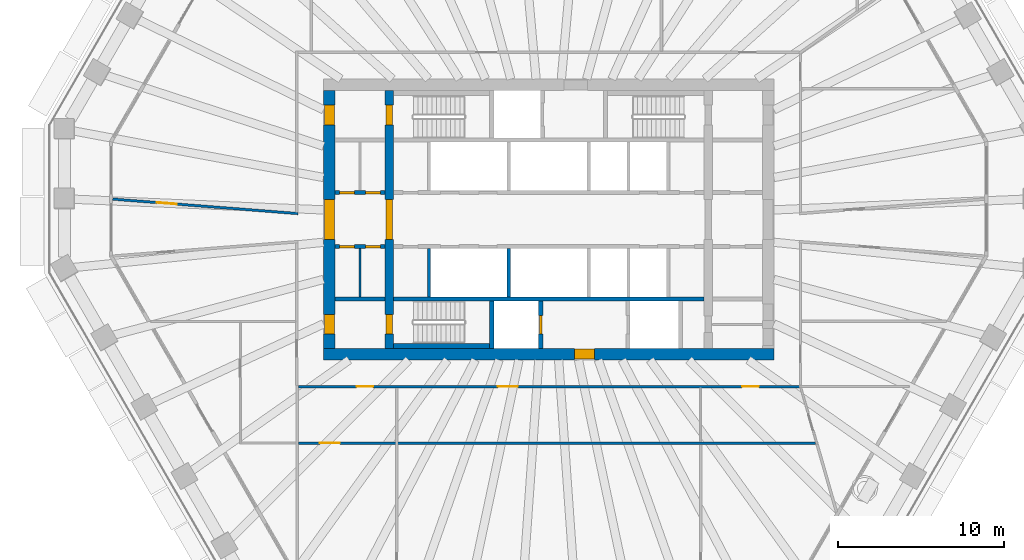
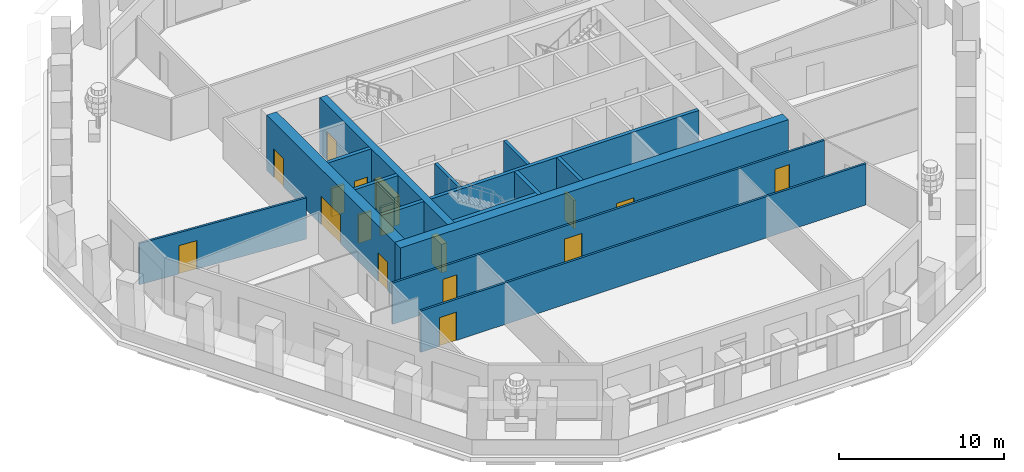
# One storey, part 4 of 13: 17 doors, 16 walls, 17 openings.
"""IFC4 building model written with IfcOpenShell, lengths in metres."""

from ifc_helpers import new_model, si_unit, direction, frame, frame_2d, origin, place, context, subcontext, project, spatial, rectangle, extrude, material, layer, layer_set, type_object, element, fill, save


model = new_model("IFC4")

# Units and contexts
model_context = context("Model", 3, precision=1e-05, world=origin(), true_north=direction((0.0, 1.0)))
body_context = subcontext(model_context, "Body", "Model", "MODEL_VIEW")
ifc_project = project(units=[si_unit("LENGTHUNIT", "METRE"), si_unit("AREAUNIT", "SQUARE_METRE"), si_unit("VOLUMEUNIT", "CUBIC_METRE"), si_unit("PLANEANGLEUNIT", "RADIAN"), si_unit("MASSUNIT", "GRAM", prefix="KILO")], contexts=[model_context])

# Site, building, storey
site_placement = place(None, origin())
site = spatial("IfcSite", under=ifc_project, at=site_placement, CompositionType="ELEMENT")
building_placement = place(site_placement, origin())
building = spatial("IfcBuilding", under=site, at=building_placement, Name="Frailejon Research Tower", CompositionType="ELEMENT")
storey_placement = place(building_placement, frame((0.0, 0.0, 184.800048828125)))
storey = spatial("IfcBuildingStorey", under=building, at=storey_placement, Name="L40", CompositionType="ELEMENT", Elevation=184.800048828125)

# Wall
ifc_material_1 = material(Name="Plasterboard on steel studs", Category="steel")
ifc_layer_1 = layer(ifc_material_1, 0.125)
ifc_layer_set_1 = layer_set([ifc_layer_1], Name="Core partition 125")
wall_type_1 = type_object("IfcWallType", Name="Core partition 125", PredefinedType="PARTITIONING", material=ifc_layer_set_1)
wall_1_placement = place(storey_placement, frame((-11.35009765625, -4.64990234375, 0.0), z_axis=(0.0, 0.0, 1.0), x_axis=(0.0, 1.0, 0.0)))
element("IfcWall", 1, at=wall_1_placement, inside=storey, type_object=wall_type_1, Name="Core partition", PredefinedType="PARTITIONING", context=body_context, shape_type="SweptSolid", body=[
    extrude(rectangle(XDim=2.89990234375, YDim=0.125, at=frame_2d((1.449951171875, 0.0))), origin(), (0.0, 0.0, 1.0), 4.099853515625),
])

# Wall, openings, doors
ifc_material_2 = material(Name="Concrete C60/75", Category="concrete")
ifc_layer_2 = layer(ifc_material_2, 0.5)
ifc_layer_set_2 = layer_set([ifc_layer_2], Name="Core shear wall 500 C60/75")
wall_type_2 = type_object("IfcWallType", Name="Core shear wall 500 C60/75", PredefinedType="SHEAR", material=ifc_layer_set_2)
wall_2_placement = place(storey_placement, frame((-9.60009765625, -7.75, 0.0), z_axis=(0.0, 0.0, 1.0), x_axis=(0.0, 1.0, 0.0)))
wall_2 = element("IfcWall", 2, at=wall_2_placement, inside=storey, type_object=wall_type_2, Name="Core shear wall", PredefinedType="SHEAR", context=body_context, shape_type="SweptSolid", body=[
    extrude(rectangle(XDim=15.5, YDim=0.5, at=frame_2d((7.75, 0.0))), origin(), (0.0, 0.0, 1.0), 4.099853515625),
])
opening_1_placement = place(wall_2_placement, frame((6.550048828125, 0.0, 0.0)))
opening_1 = element("IfcOpeningElement", 3, at=opening_1_placement, cuts=wall_2, Name="Opening D2", PredefinedType="OPENING", context=body_context, shape_type="SweptSolid", body=[
    extrude(rectangle(XDim=2.39990234375, YDim=2.10009765625, at=frame_2d((1.199951171875, 1.050048828125))), frame((0.0, 0.260009765625, 0.0), z_axis=(0.0, -1.0, 0.0), x_axis=(1.0, 0.0, 0.0)), (0.0, 0.0, 1.0), 0.52001953125),
])
opening_2_placement = place(wall_2_placement, frame((13.449951171875, 0.0, 0.0)))
opening_2 = element("IfcOpeningElement", 4, at=opening_2_placement, cuts=wall_2, Name="Opening D1", PredefinedType="OPENING", context=body_context, shape_type="SweptSolid", body=[
    extrude(rectangle(XDim=1.199951171875, YDim=2.10009765625, at=frame_2d((0.60009765625, 1.050048828125))), frame((0.0, 0.260009765625, 0.0), z_axis=(0.0, -1.0, 0.0), x_axis=(1.0, 0.0, 0.0)), (0.0, 0.0, 1.0), 0.52001953125),
])
opening_3_placement = place(wall_2_placement, frame((0.85009765625, 0.0, 0.0)))
opening_3 = element("IfcOpeningElement", 5, at=opening_3_placement, cuts=wall_2, Name="Opening D1", PredefinedType="OPENING", context=body_context, shape_type="SweptSolid", body=[
    extrude(rectangle(XDim=1.199951171875, YDim=2.10009765625, at=frame_2d((0.60009765625, 1.050048828125))), frame((0.0, 0.260009765625, 0.0), z_axis=(0.0, -1.0, 0.0), x_axis=(1.0, 0.0, 0.0)), (0.0, 0.0, 1.0), 0.52001953125),
])
ifc_material_3 = material(Name="Steel", Category="steel")
door_type_1 = type_object("IfcDoorType", Name="Lobby double door", OperationType="DOUBLE_DOOR_SINGLE_SWING", PredefinedType="DOOR", material=ifc_material_3)
door_1_placement = place(opening_1_placement, origin())
door_1 = element("IfcDoor", 6, at=door_1_placement, inside=storey, type_object=door_type_1, Name="Lobby door", OperationType="DOUBLE_DOOR_SINGLE_SWING", OverallHeight=2.10009765625, OverallWidth=2.39990234375, PredefinedType="DOOR", context=body_context, shape_type="SweptSolid", body=[
    extrude(rectangle(XDim=2.39990234375, YDim=2.10009765625, at=frame_2d((1.199951171875, 1.050048828125))), frame((0.0, 0.199951171875, 0.0), z_axis=(0.0, -1.0, 0.0), x_axis=(1.0, 0.0, 0.0)), (0.0, 0.0, 1.0), 0.39990234375),
])
fill(opening_1, door_1)
ifc_material_4 = material(Name="Steel", Category="steel")
door_type_2 = type_object("IfcDoorType", Name="Stair door", OperationType="SINGLE_SWING_LEFT", PredefinedType="DOOR", material=ifc_material_4)
door_2_placement = place(opening_2_placement, origin())
door_2 = element("IfcDoor", 7, at=door_2_placement, inside=storey, type_object=door_type_2, Name="Stair door ST1", OperationType="SINGLE_SWING_LEFT", OverallHeight=2.10009765625, OverallWidth=1.199951171875, PredefinedType="DOOR", context=body_context, shape_type="SweptSolid", body=[
    extrude(rectangle(XDim=1.199951171875, YDim=2.10009765625, at=frame_2d((0.60009765625, 1.050048828125))), frame((0.0, 0.199951171875, 0.0), z_axis=(0.0, -1.0, 0.0), x_axis=(1.0, 0.0, 0.0)), (0.0, 0.0, 1.0), 0.39990234375),
])
fill(opening_2, door_2)
door_3_placement = place(opening_3_placement, origin())
door_3 = element("IfcDoor", 8, at=door_3_placement, inside=storey, type_object=door_type_2, Name="Stair door ST2", OperationType="SINGLE_SWING_LEFT", OverallHeight=2.10009765625, OverallWidth=1.199951171875, PredefinedType="DOOR", context=body_context, shape_type="SweptSolid", body=[
    extrude(rectangle(XDim=1.199951171875, YDim=2.10009765625, at=frame_2d((0.60009765625, 1.050048828125))), frame((0.0, 0.199951171875, 0.0), z_axis=(0.0, -1.0, 0.0), x_axis=(1.0, 0.0, 0.0)), (0.0, 0.0, 1.0), 0.39990234375),
])
fill(opening_3, door_3)

# Wall, opening, door
ifc_material_5 = material(Name="Concrete C60/75", Category="concrete")
ifc_layer_3 = layer(ifc_material_5, 0.699951171875)
ifc_layer_set_3 = layer_set([ifc_layer_3], Name="Core shear wall 700 C60/75")
wall_type_3 = type_object("IfcWallType", Name="Core shear wall 700 C60/75", PredefinedType="SHEAR", material=ifc_layer_set_3)
wall_3_placement = place(storey_placement, frame((-13.550048828125, -8.10009765625, 0.0), z_axis=(0.0, 0.0, 1.0), x_axis=(1.0, 0.0, 0.0)))
wall_3 = element("IfcWall", 9, at=wall_3_placement, inside=storey, type_object=wall_type_3, Name="Core shear wall", PredefinedType="SHEAR", context=body_context, shape_type="SweptSolid", body=[
    extrude(rectangle(XDim=27.10009765625, YDim=0.699951171875, at=frame_2d((13.550048828125, 0.0))), origin(), (0.0, 0.0, 1.0), 4.099853515625),
])
opening_4_placement = place(wall_3_placement, frame((15.10009765625, 0.0, 0.0)))
opening_4 = element("IfcOpeningElement", 10, at=opening_4_placement, cuts=wall_3, Name="Opening D3", PredefinedType="OPENING", context=body_context, shape_type="SweptSolid", body=[
    extrude(rectangle(XDim=1.199951171875, YDim=2.10009765625, at=frame_2d((0.60009765625, 1.050048828125))), frame((0.0, 0.35986328125, 0.0), z_axis=(0.0, -1.0, 0.0), x_axis=(1.0, 0.0, 0.0)), (0.0, 0.0, 1.0), 0.719970703125),
])
ifc_material_6 = material(Name="Steel", Category="steel")
door_type_3 = type_object("IfcDoorType", Name="Firefighting lobby door", OperationType="SINGLE_SWING_LEFT", PredefinedType="DOOR", material=ifc_material_6)
door_4_placement = place(opening_4_placement, origin())
door_4 = element("IfcDoor", 11, at=door_4_placement, inside=storey, type_object=door_type_3, Name="Firefighting lobby door", OperationType="SINGLE_SWING_LEFT", OverallHeight=2.10009765625, OverallWidth=1.199951171875, PredefinedType="DOOR", context=body_context, shape_type="SweptSolid", body=[
    extrude(rectangle(XDim=1.199951171875, YDim=2.10009765625, at=frame_2d((0.60009765625, 1.050048828125))), frame((0.0, 0.300048828125, 0.0), z_axis=(0.0, -1.0, 0.0), x_axis=(1.0, 0.0, 0.0)), (0.0, 0.0, 1.0), 0.60009765625),
])
fill(opening_4, door_4)

# Wall, openings, doors
wall_4_placement = place(storey_placement, frame((-13.199951171875, -7.75, 0.0), z_axis=(0.0, 0.0, 1.0), x_axis=(0.0, 1.0, 0.0)))
wall_4 = element("IfcWall", 12, at=wall_4_placement, inside=storey, type_object=wall_type_3, Name="Core shear wall", PredefinedType="SHEAR", context=body_context, shape_type="SweptSolid", body=[
    extrude(rectangle(XDim=15.5, YDim=0.699951171875, at=frame_2d((7.75, 0.0))), origin(), (0.0, 0.0, 1.0), 4.099853515625),
])
opening_5_placement = place(wall_4_placement, frame((6.550048828125, 0.0, 0.0)))
opening_5 = element("IfcOpeningElement", 13, at=opening_5_placement, cuts=wall_4, Name="Opening D2", PredefinedType="OPENING", context=body_context, shape_type="SweptSolid", body=[
    extrude(rectangle(XDim=2.39990234375, YDim=2.10009765625, at=frame_2d((1.199951171875, 1.050048828125))), frame((0.0, 0.35986328125, 0.0), z_axis=(0.0, -1.0, 0.0), x_axis=(1.0, 0.0, 0.0)), (0.0, 0.0, 1.0), 0.719970703125),
])
opening_6_placement = place(wall_4_placement, frame((13.449951171875, 0.0, 0.0)))
opening_6 = element("IfcOpeningElement", 14, at=opening_6_placement, cuts=wall_4, Name="Opening D7", PredefinedType="OPENING", context=body_context, shape_type="SweptSolid", body=[
    extrude(rectangle(XDim=1.199951171875, YDim=2.10009765625, at=frame_2d((0.60009765625, 1.050048828125))), frame((0.0, 0.35986328125, 0.0), z_axis=(0.0, -1.0, 0.0), x_axis=(1.0, 0.0, 0.0)), (0.0, 0.0, 1.0), 0.719970703125),
])
opening_7_placement = place(wall_4_placement, frame((0.85009765625, 0.0, 0.0)))
opening_7 = element("IfcOpeningElement", 15, at=opening_7_placement, cuts=wall_4, Name="Opening D7", PredefinedType="OPENING", context=body_context, shape_type="SweptSolid", body=[
    extrude(rectangle(XDim=1.199951171875, YDim=2.10009765625, at=frame_2d((0.60009765625, 1.050048828125))), frame((0.0, 0.35986328125, 0.0), z_axis=(0.0, -1.0, 0.0), x_axis=(1.0, 0.0, 0.0)), (0.0, 0.0, 1.0), 0.719970703125),
])
door_5_placement = place(opening_5_placement, origin())
door_5 = element("IfcDoor", 16, at=door_5_placement, inside=storey, type_object=door_type_1, Name="Lobby door", OperationType="DOUBLE_DOOR_SINGLE_SWING", OverallHeight=2.10009765625, OverallWidth=2.39990234375, PredefinedType="DOOR", context=body_context, shape_type="SweptSolid", body=[
    extrude(rectangle(XDim=2.39990234375, YDim=2.10009765625, at=frame_2d((1.199951171875, 1.050048828125))), frame((0.0, 0.300048828125, 0.0), z_axis=(0.0, -1.0, 0.0), x_axis=(1.0, 0.0, 0.0)), (0.0, 0.0, 1.0), 0.60009765625),
])
fill(opening_5, door_5)
ifc_material_7 = material(Name="Steel", Category="steel")
door_type_4 = type_object("IfcDoorType", Name="Stair exit door", OperationType="SINGLE_SWING_LEFT", PredefinedType="DOOR", material=ifc_material_7)
door_6_placement = place(opening_6_placement, origin())
door_6 = element("IfcDoor", 17, at=door_6_placement, inside=storey, type_object=door_type_4, Name="Stair exit door ST1", OperationType="SINGLE_SWING_RIGHT", OverallHeight=2.10009765625, OverallWidth=1.199951171875, PredefinedType="DOOR", context=body_context, shape_type="SweptSolid", body=[
    extrude(rectangle(XDim=1.199951171875, YDim=2.10009765625, at=frame_2d((0.60009765625, 1.050048828125))), frame((0.0, 0.300048828125, 0.0), z_axis=(0.0, -1.0, 0.0), x_axis=(1.0, 0.0, 0.0)), (0.0, 0.0, 1.0), 0.60009765625),
])
fill(opening_6, door_6)
door_7_placement = place(opening_7_placement, origin())
door_7 = element("IfcDoor", 18, at=door_7_placement, inside=storey, type_object=door_type_4, Name="Stair exit door ST2", OperationType="SINGLE_SWING_RIGHT", OverallHeight=2.10009765625, OverallWidth=1.199951171875, PredefinedType="DOOR", context=body_context, shape_type="SweptSolid", body=[
    extrude(rectangle(XDim=1.199951171875, YDim=2.10009765625, at=frame_2d((0.60009765625, 1.050048828125))), frame((0.0, 0.300048828125, 0.0), z_axis=(0.0, -1.0, 0.0), x_axis=(1.0, 0.0, 0.0)), (0.0, 0.0, 1.0), 0.60009765625),
])
fill(opening_7, door_7)

ifc_material_8 = material(Name="Gypsum board and masonry partition", Category="masonry")
ifc_layer_4 = layer(ifc_material_8, 0.14990234375)
ifc_layer_set_4 = layer_set([ifc_layer_4], Name="Corridor wall EI 60, gypsum on steel studs 150")
wall_type_4 = type_object("IfcWallType", Name="Corridor wall EI 60, gypsum on steel studs 150", PredefinedType="PARTITIONING", material=ifc_layer_set_4)
wall_5_placement = place(storey_placement, frame((-15.06298828125, -10.050048828125, 0.0), z_axis=(0.0, 0.0, 1.0), x_axis=(1.0, 0.0, 0.0)))
wall_5 = element("IfcWall", 19, at=wall_5_placement, inside=storey, type_object=wall_type_4, Name="T:IW:L40:006", PredefinedType="PARTITIONING", context=body_context, shape_type="SweptSolid", body=[
    extrude(rectangle(XDim=30.1630859375, YDim=0.14990234375, at=frame_2d((15.08154296875, 0.0))), origin(), (0.0, 0.0, 1.0), 3.050048828125),
])
opening_8_placement = place(wall_5_placement, frame((3.5, 0.0, 0.0)))
opening_8 = element("IfcOpeningElement", 20, at=opening_8_placement, cuts=wall_5, Name="Opening D1874", PredefinedType="OPENING", context=body_context, shape_type="SweptSolid", body=[
    extrude(rectangle(XDim=1.0, YDim=2.10009765625, at=frame_2d((0.5, 1.050048828125))), frame((0.0, 0.0849609375, 0.0), z_axis=(0.0, -1.0, 0.0), x_axis=(1.0, 0.0, 0.0)), (0.0, 0.0, 1.0), 0.169921875),
])
opening_9_placement = place(wall_5_placement, frame((12.006591796875, 0.0, 0.0)))
opening_9 = element("IfcOpeningElement", 21, at=opening_9_placement, cuts=wall_5, Name="Opening D1877", PredefinedType="OPENING", context=body_context, shape_type="SweptSolid", body=[
    extrude(rectangle(XDim=1.199951171875, YDim=2.10009765625, at=frame_2d((0.60009765625, 1.050048828125))), frame((0.0, 0.0849609375, 0.0), z_axis=(0.0, -1.0, 0.0), x_axis=(1.0, 0.0, 0.0)), (0.0, 0.0, 1.0), 0.169921875),
])
opening_10_placement = place(wall_5_placement, frame((26.706787109375, 0.0, 0.0)))
opening_10 = element("IfcOpeningElement", 22, at=opening_10_placement, cuts=wall_5, Name="Opening D1879", PredefinedType="OPENING", context=body_context, shape_type="SweptSolid", body=[
    extrude(rectangle(XDim=1.0, YDim=2.10009765625, at=frame_2d((0.5, 1.050048828125))), frame((0.0, 0.0849609375, 0.0), z_axis=(0.0, -1.0, 0.0), x_axis=(1.0, 0.0, 0.0)), (0.0, 0.0, 1.0), 0.169921875),
])
ifc_material_9 = material(Name="Timber door leaf", Category="wood")
door_type_5 = type_object("IfcDoorType", Name="Door laboratory, timber, vision panel 1000", OperationType="NOTDEFINED", PredefinedType="DOOR", material=ifc_material_9)
door_8_placement = place(opening_8_placement, origin())
door_8 = element("IfcDoor", 23, at=door_8_placement, inside=storey, type_object=door_type_5, Name="D1874", OperationType="SINGLE_SWING_RIGHT", OverallHeight=2.10009765625, OverallWidth=1.0, PredefinedType="DOOR", context=body_context, shape_type="SweptSolid", body=[
    extrude(rectangle(XDim=1.0, YDim=2.10009765625, at=frame_2d((0.5, 1.050048828125))), frame((0.0, 0.02490234375, 0.0), z_axis=(0.0, -1.0, 0.0), x_axis=(1.0, 0.0, 0.0)), (0.0, 0.0, 1.0), 0.050048828125),
])
fill(opening_8, door_8)
ifc_material_10 = material(Name="Timber door leaf", Category="wood")
door_type_6 = type_object("IfcDoorType", Name="Door single leaf, timber, steel frame 1000", OperationType="NOTDEFINED", PredefinedType="DOOR", material=ifc_material_10)
door_9_placement = place(opening_10_placement, origin())
door_9 = element("IfcDoor", 24, at=door_9_placement, inside=storey, type_object=door_type_6, Name="D1879", OperationType="SINGLE_SWING_LEFT", OverallHeight=2.10009765625, OverallWidth=1.0, PredefinedType="DOOR", context=body_context, shape_type="SweptSolid", body=[
    extrude(rectangle(XDim=1.0, YDim=2.10009765625, at=frame_2d((0.5, 1.050048828125))), frame((0.0, 0.02490234375, 0.0), z_axis=(0.0, -1.0, 0.0), x_axis=(1.0, 0.0, 0.0)), (0.0, 0.0, 1.0), 0.050048828125),
])
fill(opening_10, door_9)
ifc_material_11 = material(Name="Timber door leaf", Category="wood")
door_type_7 = type_object("IfcDoorType", Name="Door single leaf, timber, steel frame 1200", OperationType="NOTDEFINED", PredefinedType="DOOR", material=ifc_material_11)
door_10_placement = place(opening_9_placement, origin())
door_10 = element("IfcDoor", 25, at=door_10_placement, inside=storey, type_object=door_type_7, Name="D1877", OperationType="DOUBLE_DOOR_SINGLE_SWING", OverallHeight=2.10009765625, OverallWidth=1.199951171875, PredefinedType="DOOR", context=body_context, shape_type="SweptSolid", body=[
    extrude(rectangle(XDim=1.199951171875, YDim=2.10009765625, at=frame_2d((0.60009765625, 1.050048828125))), frame((0.0, 0.02490234375, 0.0), z_axis=(0.0, -1.0, 0.0), x_axis=(1.0, 0.0, 0.0)), (0.0, 0.0, 1.0), 0.050048828125),
])
fill(opening_9, door_10)

# Wall, opening, door
wall_6_placement = place(storey_placement, frame((-26.231201171875, 1.228759765625, 0.0), z_axis=(0.0, 0.0, 1.0), x_axis=(0.996958619643, -0.077932732014, 0.0)))
wall_6 = element("IfcWall", 26, at=wall_6_placement, inside=storey, type_object=wall_type_4, Name="T:IW:L40:007", PredefinedType="PARTITIONING", context=body_context, shape_type="SweptSolid", body=[
    extrude(rectangle(XDim=11.18994140625, YDim=0.14990234375, at=frame_2d((5.594970703125, 0.0))), origin(), (0.0, 0.0, 1.0), 3.050048828125),
])
opening_11_placement = place(wall_6_placement, frame((2.65380859375, 0.0, 0.0)))
opening_11 = element("IfcOpeningElement", 27, at=opening_11_placement, cuts=wall_6, Name="Opening D1870", PredefinedType="OPENING", context=body_context, shape_type="SweptSolid", body=[
    extrude(rectangle(XDim=1.199951171875, YDim=2.10009765625, at=frame_2d((0.60009765625, 1.050048828125))), frame((0.0, 0.0849609375, 0.0), z_axis=(0.0, -1.0, 0.0), x_axis=(1.0, 0.0, 0.0)), (0.0, 0.0, 1.0), 0.169921875),
])
ifc_material_12 = material(Name="Timber door leaf", Category="wood")
door_type_8 = type_object("IfcDoorType", Name="Door laboratory, timber, vision panel 1200", OperationType="NOTDEFINED", PredefinedType="DOOR", material=ifc_material_12)
door_11_placement = place(opening_11_placement, origin())
door_11 = element("IfcDoor", 28, at=door_11_placement, inside=storey, type_object=door_type_8, Name="D1870", OperationType="DOUBLE_DOOR_SINGLE_SWING", OverallHeight=2.10009765625, OverallWidth=1.199951171875, PredefinedType="DOOR", context=body_context, shape_type="SweptSolid", body=[
    extrude(rectangle(XDim=1.199951171875, YDim=2.10009765625, at=frame_2d((0.60009765625, 1.050048828125))), frame((0.0, 0.02490234375, 0.0), z_axis=(0.0, -1.0, 0.0), x_axis=(1.0, 0.0, 0.0)), (0.0, 0.0, 1.0), 0.050048828125),
])
fill(opening_11, door_11)

ifc_material_13 = material(Name="Gypsum board and masonry partition", Category="masonry")
ifc_layer_5 = layer(ifc_material_13, 0.14990234375)
ifc_layer_set_5 = layer_set([ifc_layer_5], Name="Laboratory partition, blockwork 150")
wall_type_5 = type_object("IfcWallType", Name="Laboratory partition, blockwork 150", PredefinedType="PARTITIONING", material=ifc_layer_set_5)
wall_7_placement = place(storey_placement, frame((-15.06298828125, -13.449951171875, 0.0), z_axis=(0.0, 0.0, 1.0), x_axis=(1.0, 0.0, 0.0)))
wall_7 = element("IfcWall", 29, at=wall_7_placement, inside=storey, type_object=wall_type_5, Name="T:IW:L40:019", PredefinedType="PARTITIONING", context=body_context, shape_type="SweptSolid", body=[
    extrude(rectangle(XDim=31.114990234375, YDim=0.14990234375, at=frame_2d((15.5576171875, 0.0))), origin(), (0.0, 0.0, 1.0), 3.050048828125),
])
opening_12_placement = place(wall_7_placement, frame((1.300048828125, 0.0, 0.0)))
opening_12 = element("IfcOpeningElement", 30, at=opening_12_placement, cuts=wall_7, Name="Opening D1875", PredefinedType="OPENING", context=body_context, shape_type="SweptSolid", body=[
    extrude(rectangle(XDim=1.199951171875, YDim=2.10009765625, at=frame_2d((0.60009765625, 1.050048828125))), frame((0.0, 0.0849609375, 0.0), z_axis=(0.0, -1.0, 0.0), x_axis=(1.0, 0.0, 0.0)), (0.0, 0.0, 1.0), 0.169921875),
])
door_12_placement = place(opening_12_placement, origin())
door_12 = element("IfcDoor", 31, at=door_12_placement, inside=storey, type_object=door_type_8, Name="D1875", OperationType="DOUBLE_DOOR_SINGLE_SWING", OverallHeight=2.10009765625, OverallWidth=1.199951171875, PredefinedType="DOOR", context=body_context, shape_type="SweptSolid", body=[
    extrude(rectangle(XDim=1.199951171875, YDim=2.10009765625, at=frame_2d((0.60009765625, 1.050048828125))), frame((0.0, 0.02490234375, 0.0), z_axis=(0.0, -1.0, 0.0), x_axis=(1.0, 0.0, 0.0)), (0.0, 0.0, 1.0), 0.050048828125),
])
fill(opening_12, door_12)

# Walls
ifc_material_14 = material(Name="Concrete C60/75", Category="concrete")
ifc_layer_6 = layer(ifc_material_14, 0.199951171875)
ifc_layer_set_6 = layer_set([ifc_layer_6], Name="Shaft wall 200 C60/75")
wall_type_6 = type_object("IfcWallType", Name="Shaft wall 200 C60/75", PredefinedType="SOLIDWALL", material=ifc_layer_set_6)
for number, where, z_axis, x_axis, name in (
    (32, (-7.199951171875, -4.64990234375, 0.0), (0.0, 0.0, 1.0), (0.0, 1.0, 0.0), "Shaft wall"),
    (33, (-2.39990234375, -4.64990234375, 0.0), (0.0, 0.0, 1.0), (0.0, 1.0, 0.0), "Shaft wall"),
):
    element("IfcWall", number, at=place(storey_placement, frame(where, z_axis=z_axis, x_axis=x_axis)), inside=storey, type_object=wall_type_6, Name=name, PredefinedType="SOLIDWALL", context=body_context, shape_type="SweptSolid", body=[
        extrude(rectangle(XDim=2.89990234375, YDim=0.199951171875, at=frame_2d((1.449951171875, 0.0))), origin(), (0.0, 0.0, 1.0), 4.099853515625),
    ])

# Wall, openings, doors
ifc_material_15 = material(Name="Concrete C60/75", Category="concrete")
ifc_layer_7 = layer(ifc_material_15, 0.25)
ifc_layer_set_7 = layer_set([ifc_layer_7], Name="Shaft wall 250 C60/75")
wall_type_7 = type_object("IfcWallType", Name="Shaft wall 250 C60/75", PredefinedType="SOLIDWALL", material=ifc_layer_set_7)
wall_8_placement = place(storey_placement, frame((-12.85009765625, 1.625, 0.0), z_axis=(0.0, 0.0, 1.0), x_axis=(1.0, 0.0, 0.0)))
wall_8 = element("IfcWall", 34, at=wall_8_placement, inside=storey, type_object=wall_type_7, Name="Shaft wall", PredefinedType="SOLIDWALL", context=body_context, shape_type="SweptSolid", body=[
    extrude(rectangle(XDim=3.0, YDim=0.25, at=frame_2d((1.5, 0.0))), origin(), (0.0, 0.0, 1.0), 4.099853515625),
])
opening_13_placement = place(wall_8_placement, frame((0.268798828125, 0.0, 0.0)))
opening_13 = element("IfcOpeningElement", 35, at=opening_13_placement, cuts=wall_8, Name="Opening D8", PredefinedType="OPENING", context=body_context, shape_type="SweptSolid", body=[
    extrude(rectangle(XDim=0.89990234375, YDim=2.10009765625, at=frame_2d((0.449951171875, 1.050048828125))), frame((0.0, 0.135009765625, 0.0), z_axis=(0.0, -1.0, 0.0), x_axis=(1.0, 0.0, 0.0)), (0.0, 0.0, 1.0), 0.27001953125),
])
opening_14_placement = place(wall_8_placement, frame((1.831298828125, 0.0, 0.0)))
opening_14 = element("IfcOpeningElement", 36, at=opening_14_placement, cuts=wall_8, Name="Opening D8", PredefinedType="OPENING", context=body_context, shape_type="SweptSolid", body=[
    extrude(rectangle(XDim=0.89990234375, YDim=2.10009765625, at=frame_2d((0.449951171875, 1.050048828125))), frame((0.0, 0.135009765625, 0.0), z_axis=(0.0, -1.0, 0.0), x_axis=(1.0, 0.0, 0.0)), (0.0, 0.0, 1.0), 0.27001953125),
])
ifc_material_16 = material(Name="Steel", Category="steel")
door_type_9 = type_object("IfcDoorType", Name="Core room door", OperationType="SINGLE_SWING_LEFT", PredefinedType="DOOR", material=ifc_material_16)
door_13_placement = place(opening_13_placement, origin())
door_13 = element("IfcDoor", 37, at=door_13_placement, inside=storey, type_object=door_type_9, Name="Room door", OperationType="SINGLE_SWING_RIGHT", OverallHeight=2.10009765625, OverallWidth=0.89990234375, PredefinedType="DOOR", context=body_context, shape_type="SweptSolid", body=[
    extrude(rectangle(XDim=0.89990234375, YDim=2.10009765625, at=frame_2d((0.449951171875, 1.050048828125))), frame((0.0, 0.074951171875, 0.0), z_axis=(0.0, -1.0, 0.0), x_axis=(1.0, 0.0, 0.0)), (0.0, 0.0, 1.0), 0.14990234375),
])
fill(opening_13, door_13)
door_14_placement = place(opening_14_placement, origin())
door_14 = element("IfcDoor", 38, at=door_14_placement, inside=storey, type_object=door_type_9, Name="Room door", OperationType="SINGLE_SWING_LEFT", OverallHeight=2.10009765625, OverallWidth=0.89990234375, PredefinedType="DOOR", context=body_context, shape_type="SweptSolid", body=[
    extrude(rectangle(XDim=0.89990234375, YDim=2.10009765625, at=frame_2d((0.449951171875, 1.050048828125))), frame((0.0, 0.074951171875, 0.0), z_axis=(0.0, -1.0, 0.0), x_axis=(1.0, 0.0, 0.0)), (0.0, 0.0, 1.0), 0.14990234375),
])
fill(opening_14, door_14)

wall_9_placement = place(storey_placement, frame((-12.85009765625, -1.625, 0.0), z_axis=(0.0, 0.0, 1.0), x_axis=(1.0, 0.0, 0.0)))
wall_9 = element("IfcWall", 39, at=wall_9_placement, inside=storey, type_object=wall_type_7, Name="Shaft wall", PredefinedType="SOLIDWALL", context=body_context, shape_type="SweptSolid", body=[
    extrude(rectangle(XDim=3.0, YDim=0.25, at=frame_2d((1.5, 0.0))), origin(), (0.0, 0.0, 1.0), 4.099853515625),
])
opening_15_placement = place(wall_9_placement, frame((0.268798828125, 0.0, 0.0)))
opening_15 = element("IfcOpeningElement", 40, at=opening_15_placement, cuts=wall_9, Name="Opening D8", PredefinedType="OPENING", context=body_context, shape_type="SweptSolid", body=[
    extrude(rectangle(XDim=0.89990234375, YDim=2.10009765625, at=frame_2d((0.449951171875, 1.050048828125))), frame((0.0, 0.135009765625, 0.0), z_axis=(0.0, -1.0, 0.0), x_axis=(1.0, 0.0, 0.0)), (0.0, 0.0, 1.0), 0.27001953125),
])
opening_16_placement = place(wall_9_placement, frame((1.831298828125, 0.0, 0.0)))
opening_16 = element("IfcOpeningElement", 41, at=opening_16_placement, cuts=wall_9, Name="Opening D8", PredefinedType="OPENING", context=body_context, shape_type="SweptSolid", body=[
    extrude(rectangle(XDim=0.89990234375, YDim=2.10009765625, at=frame_2d((0.449951171875, 1.050048828125))), frame((0.0, 0.135009765625, 0.0), z_axis=(0.0, -1.0, 0.0), x_axis=(1.0, 0.0, 0.0)), (0.0, 0.0, 1.0), 0.27001953125),
])
door_15_placement = place(opening_15_placement, origin())
door_15 = element("IfcDoor", 42, at=door_15_placement, inside=storey, type_object=door_type_9, Name="Room door", OperationType="SINGLE_SWING_LEFT", OverallHeight=2.10009765625, OverallWidth=0.89990234375, PredefinedType="DOOR", context=body_context, shape_type="SweptSolid", body=[
    extrude(rectangle(XDim=0.89990234375, YDim=2.10009765625, at=frame_2d((0.449951171875, 1.050048828125))), frame((0.0, 0.074951171875, 0.0), z_axis=(0.0, -1.0, 0.0), x_axis=(1.0, 0.0, 0.0)), (0.0, 0.0, 1.0), 0.14990234375),
])
fill(opening_15, door_15)
door_16_placement = place(opening_16_placement, origin())
door_16 = element("IfcDoor", 43, at=door_16_placement, inside=storey, type_object=door_type_9, Name="Room door", OperationType="SINGLE_SWING_RIGHT", OverallHeight=2.10009765625, OverallWidth=0.89990234375, PredefinedType="DOOR", context=body_context, shape_type="SweptSolid", body=[
    extrude(rectangle(XDim=0.89990234375, YDim=2.10009765625, at=frame_2d((0.449951171875, 1.050048828125))), frame((0.0, 0.074951171875, 0.0), z_axis=(0.0, -1.0, 0.0), x_axis=(1.0, 0.0, 0.0)), (0.0, 0.0, 1.0), 0.14990234375),
])
fill(opening_16, door_16)

# Walls
wall_10_placement = place(storey_placement, frame((-12.85009765625, -4.77490234375, 0.0), z_axis=(0.0, 0.0, 1.0), x_axis=(1.0, 0.0, 0.0)))
element("IfcWall", 44, at=wall_10_placement, inside=storey, type_object=wall_type_7, Name="Shaft wall", PredefinedType="SOLIDWALL", context=body_context, shape_type="SweptSolid", body=[
    extrude(rectangle(XDim=3.0, YDim=0.25, at=frame_2d((1.5, 0.0))), origin(), (0.0, 0.0, 1.0), 4.099853515625),
])
wall_11_placement = place(storey_placement, frame((-9.35009765625, -4.77490234375, 0.0), z_axis=(0.0, 0.0, 1.0), x_axis=(1.0, 0.0, 0.0)))
element("IfcWall", 45, at=wall_11_placement, inside=storey, type_object=wall_type_7, Name="Shaft wall", PredefinedType="SOLIDWALL", context=body_context, shape_type="SweptSolid", body=[
    extrude(rectangle(XDim=18.7001953125, YDim=0.25, at=frame_2d((9.35009765625, 0.0))), origin(), (0.0, 0.0, 1.0), 4.099853515625),
])
wall_12_placement = place(storey_placement, frame((-3.425048828125, -7.75, 0.0), z_axis=(0.0, 0.0, 1.0), x_axis=(0.0, 1.0, 0.0)))
element("IfcWall", 46, at=wall_12_placement, inside=storey, type_object=wall_type_7, Name="Shaft wall", PredefinedType="SOLIDWALL", context=body_context, shape_type="SweptSolid", body=[
    extrude(rectangle(XDim=2.85009765625, YDim=0.25, at=frame_2d((1.425048828125, 0.0))), origin(), (0.0, 0.0, 1.0), 4.099853515625),
])

# Wall, opening, door
wall_13_placement = place(storey_placement, frame((-0.47509765625, -7.75, 0.0), z_axis=(0.0, 0.0, 1.0), x_axis=(0.0, 1.0, 0.0)))
wall_13 = element("IfcWall", 47, at=wall_13_placement, inside=storey, type_object=wall_type_7, Name="Shaft wall", PredefinedType="SOLIDWALL", context=body_context, shape_type="SweptSolid", body=[
    extrude(rectangle(XDim=2.85009765625, YDim=0.25, at=frame_2d((1.425048828125, 0.0))), origin(), (0.0, 0.0, 1.0), 4.099853515625),
])
opening_17_placement = place(wall_13_placement, frame((0.875, 0.0, 0.0)))
opening_17 = element("IfcOpeningElement", 48, at=opening_17_placement, cuts=wall_13, Name="Opening LD", PredefinedType="OPENING", context=body_context, shape_type="SweptSolid", body=[
    extrude(rectangle(XDim=1.10009765625, YDim=2.10009765625, at=frame_2d((0.550048828125, 1.050048828125))), frame((0.0, 0.135009765625, 0.0), z_axis=(0.0, -1.0, 0.0), x_axis=(1.0, 0.0, 0.0)), (0.0, 0.0, 1.0), 0.27001953125),
])
ifc_material_17 = material(Name="Steel", Category="steel")
door_type_10 = type_object("IfcDoorType", Name="Lift landing door", OperationType="DOUBLE_DOOR_SLIDING", PredefinedType="DOOR", material=ifc_material_17)
door_17_placement = place(opening_17_placement, origin())
door_17 = element("IfcDoor", 49, at=door_17_placement, inside=storey, type_object=door_type_10, Name="Lift landing door", OperationType="DOUBLE_DOOR_SLIDING", OverallHeight=2.10009765625, OverallWidth=1.10009765625, PredefinedType="DOOR", context=body_context, shape_type="SweptSolid", body=[
    extrude(rectangle(XDim=1.10009765625, YDim=2.10009765625, at=frame_2d((0.550048828125, 1.050048828125))), frame((0.0, 0.074951171875, 0.0), z_axis=(0.0, -1.0, 0.0), x_axis=(1.0, 0.0, 0.0)), (0.0, 0.0, 1.0), 0.14990234375),
])
fill(opening_17, door_17)

# Wall
ifc_material_18 = material(Name="Concrete C60/75", Category="concrete")
ifc_layer_8 = layer(ifc_material_18, 0.300048828125)
ifc_layer_set_8 = layer_set([ifc_layer_8], Name="Shaft wall 300 C60/75")
wall_type_8 = type_object("IfcWallType", Name="Shaft wall 300 C60/75", PredefinedType="SOLIDWALL", material=ifc_layer_set_8)
wall_14_placement = place(storey_placement, frame((-9.35009765625, -7.60009765625, 0.0), z_axis=(0.0, 0.0, 1.0), x_axis=(1.0, 0.0, 0.0)))
element("IfcWall", 50, at=wall_14_placement, inside=storey, type_object=wall_type_8, Name="Shaft wall", PredefinedType="SOLIDWALL", context=body_context, shape_type="SweptSolid", body=[
    extrude(rectangle(XDim=5.800048828125, YDim=0.300048828125, at=frame_2d((2.89990234375, 0.0))), origin(), (0.0, 0.0, 1.0), 4.099853515625),
])

save(model, "model.ifc")
